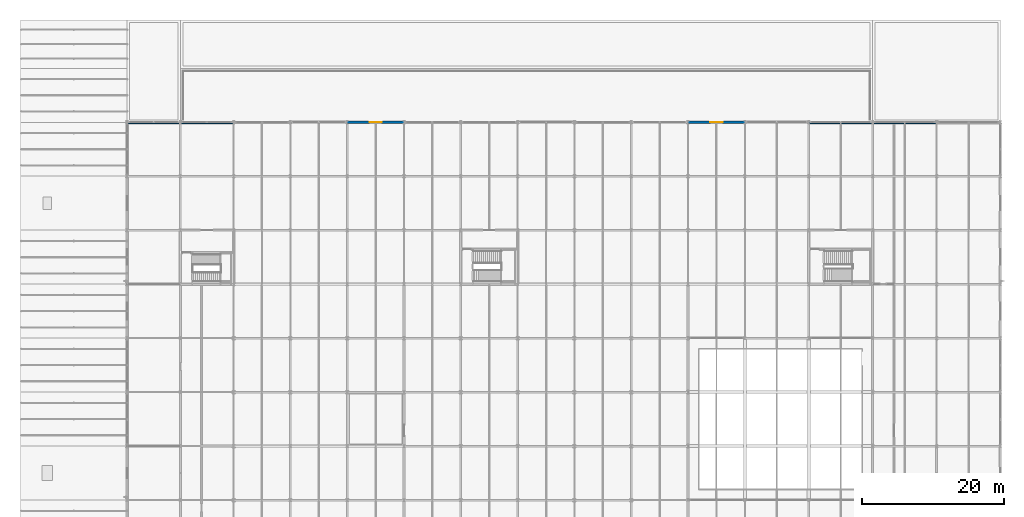
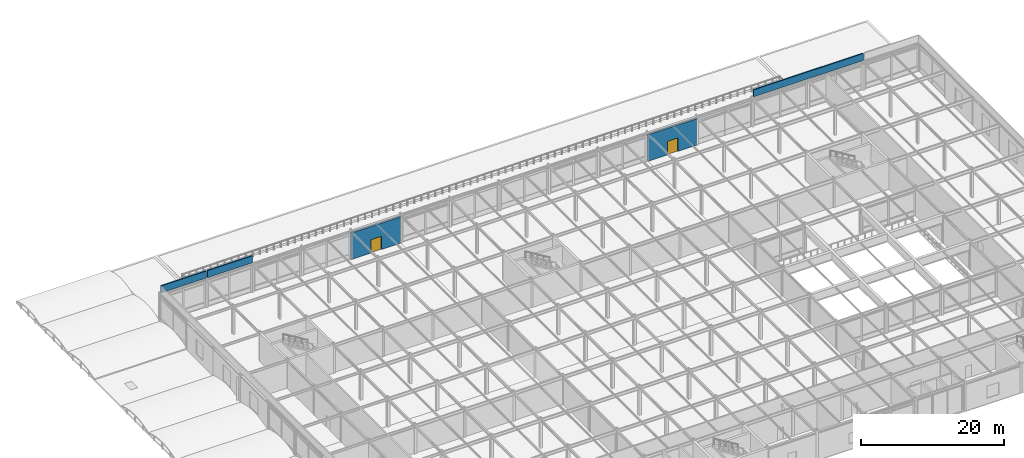
# One storey, part 64 of 79: 5 walls, 2 doors, 2 openings.
"""IFC4 building model written with IfcOpenShell, lengths in metres."""

from ifc_helpers import new_model, si_unit, direction, frame, frame_2d, origin, place, context, subcontext, project, spatial, rectangle, extrude, material, layer, layer_set, type_object, element, fill, save


model = new_model("IFC4")

# Units and contexts
model_context = context("Model", 3, precision=1e-05, world=origin(), true_north=direction((0.0, 1.0)))
body_context = subcontext(model_context, "Body", "Model", "MODEL_VIEW")
ifc_project = project(units=[si_unit("LENGTHUNIT", "METRE"), si_unit("AREAUNIT", "SQUARE_METRE"), si_unit("VOLUMEUNIT", "CUBIC_METRE"), si_unit("PLANEANGLEUNIT", "RADIAN"), si_unit("MASSUNIT", "GRAM", prefix="KILO")], contexts=[model_context])

# Site, building, storey
site_placement = place(None, origin())
site = spatial("IfcSite", under=ifc_project, at=site_placement, CompositionType="ELEMENT")
building_placement = place(site_placement, origin())
building = spatial("IfcBuilding", under=site, at=building_placement, Name="Shalkamar Park Central Library", CompositionType="ELEMENT")
storey_placement = place(building_placement, frame((0.0, 0.0, 10.5)))
storey = spatial("IfcBuildingStorey", under=building, at=storey_placement, Name="L03", CompositionType="ELEMENT", Elevation=10.5)

# Walls
ifc_material_1 = material(Name="Concrete C35/45 precast", Category="concrete")
ifc_layer_1 = layer(ifc_material_1, 0.179931640625)
ifc_layer_set_1 = layer_set([ifc_layer_1], Name="Concrete C35/45 precast")
wall_type_1 = type_object("IfcWallType", Name="Roof Parapet Wall 180", PredefinedType="PARAPET", material=ifc_layer_set_1)
for number, where, z_axis, x_axis, name in (
    (1, (150.10009765625, 323.5, 5.10009765625), (0.0, 0.0, 1.0), (1.0, 0.0, 0.0), "Roof Parapet Wall L03-19"),
    (2, (157.60009765625, 323.5, 5.10009765625), (0.0, 0.0, 1.0), (1.0, 0.0, 0.0), "Roof Parapet Wall L03-24"),
):
    element("IfcWall", number, at=place(storey_placement, frame(where, z_axis=z_axis, x_axis=x_axis)), inside=storey, type_object=wall_type_1, Name=name, PredefinedType="PARAPET", context=body_context, shape_type="SweptSolid", body=[
        extrude(rectangle(XDim=7.2998046875, YDim=0.179931640625, at=frame_2d((3.64990234375, 0.0))), origin(), (0.0, 0.0, 1.0), 1.199951171875),
    ])
wall_1_placement = place(storey_placement, frame((246.10009765625, 323.5, 5.10009765625), z_axis=(0.0, 0.0, 1.0), x_axis=(1.0, 0.0, 0.0)))
element("IfcWall", 3, at=wall_1_placement, inside=storey, type_object=wall_type_1, Name="Roof Parapet Wall L03-25", PredefinedType="PARAPET", context=body_context, shape_type="SweptSolid", body=[
    extrude(rectangle(XDim=17.7998046875, YDim=0.179931640625, at=frame_2d((8.89990234375, 0.0))), origin(), (0.0, 0.0, 1.0), 1.199951171875),
])

# Wall, opening, door
ifc_material_2 = material(Name="Travertine insulated rainscreen", Category="masonry")
ifc_layer_2 = layer(ifc_material_2, 0.2900390625)
ifc_layer_set_2 = layer_set([ifc_layer_2], Name="TravertineTerracottaWall_290")
wall_type_2 = type_object("IfcWallType", Name="Travertine Terracotta Wall 290", PredefinedType="SOLIDWALL", material=ifc_layer_set_2)
wall_2_placement = place(storey_placement, frame((181.006103515625, 323.60009765625, 0.0), z_axis=(0.0, 0.0, 1.0), x_axis=(1.0, 0.0, 0.0)))
wall_2 = element("IfcWall", 4, at=wall_2_placement, inside=storey, type_object=wall_type_2, Name="Exterior Facade Wall WL-EXT-L03-092", PredefinedType="SOLIDWALL", context=body_context, shape_type="SweptSolid", body=[
    extrude(rectangle(XDim=7.98779296875, YDim=0.2900390625, at=frame_2d((3.993896484375, 0.0))), origin(), (0.0, 0.0, 1.0), 4.528076171875),
])
opening_1_placement = place(wall_2_placement, frame((3.14404296875, 0.0, 0.0)))
opening_1 = element("IfcOpeningElement", 5, at=opening_1_placement, cuts=wall_2, Name="Opening ED-L03-035", PredefinedType="OPENING", context=body_context, shape_type="SweptSolid", body=[
    extrude(rectangle(XDim=1.699951171875, YDim=2.300048828125, at=frame_2d((0.85009765625, 1.14990234375))), frame((0.0, 0.159912109375, 0.0), z_axis=(0.0, -1.0, 0.0), x_axis=(1.0, 0.0, 0.0)), (0.0, 0.0, 1.0), 0.31982421875),
])
ifc_material_3 = material(Name="Thermally broken insulated aluminium and glazed door", Category="aluminium")
door_type = type_object("IfcDoorType", Name="Cascade Terrace Door 1700x2300", OperationType="DOUBLE_DOOR_SINGLE_SWING", PredefinedType="DOOR", material=ifc_material_3)
door_1_placement = place(opening_1_placement, origin())
door_1 = element("IfcDoor", 6, at=door_1_placement, inside=storey, type_object=door_type, Name="L03 Cascading Terrace Door 09", OperationType="DOUBLE_DOOR_SINGLE_SWING", OverallHeight=2.300048828125, OverallWidth=1.699951171875, PredefinedType="DOOR", context=body_context, shape_type="SweptSolid", body=[
    extrude(rectangle(XDim=1.699951171875, YDim=2.300048828125, at=frame_2d((0.85009765625, 1.14990234375))), frame((0.0, 0.02490234375, 0.0), z_axis=(0.0, -1.0, 0.0), x_axis=(1.0, 0.0, 0.0)), (0.0, 0.0, 1.0), 0.050048828125),
])
fill(opening_1, door_1)

wall_3_placement = place(storey_placement, frame((229.006103515625, 323.60009765625, 0.0), z_axis=(0.0, 0.0, 1.0), x_axis=(1.0, 0.0, 0.0)))
wall_3 = element("IfcWall", 7, at=wall_3_placement, inside=storey, type_object=wall_type_2, Name="Exterior Facade Wall WL-EXT-L03-093", PredefinedType="SOLIDWALL", context=body_context, shape_type="SweptSolid", body=[
    extrude(rectangle(XDim=7.98779296875, YDim=0.2900390625, at=frame_2d((3.993896484375, 0.0))), origin(), (0.0, 0.0, 1.0), 4.528076171875),
])
opening_2_placement = place(wall_3_placement, frame((3.14404296875, 0.0, 0.0)))
opening_2 = element("IfcOpeningElement", 8, at=opening_2_placement, cuts=wall_3, Name="Opening ED-L03-036", PredefinedType="OPENING", context=body_context, shape_type="SweptSolid", body=[
    extrude(rectangle(XDim=1.699951171875, YDim=2.300048828125, at=frame_2d((0.85009765625, 1.14990234375))), frame((0.0, 0.159912109375, 0.0), z_axis=(0.0, -1.0, 0.0), x_axis=(1.0, 0.0, 0.0)), (0.0, 0.0, 1.0), 0.31982421875),
])
door_2_placement = place(opening_2_placement, origin())
door_2 = element("IfcDoor", 9, at=door_2_placement, inside=storey, type_object=door_type, Name="L03 Cascading Terrace Door 15", OperationType="DOUBLE_DOOR_SINGLE_SWING", OverallHeight=2.300048828125, OverallWidth=1.699951171875, PredefinedType="DOOR", context=body_context, shape_type="SweptSolid", body=[
    extrude(rectangle(XDim=1.699951171875, YDim=2.300048828125, at=frame_2d((0.85009765625, 1.14990234375))), frame((0.0, 0.02490234375, 0.0), z_axis=(0.0, -1.0, 0.0), x_axis=(1.0, 0.0, 0.0)), (0.0, 0.0, 1.0), 0.050048828125),
])
fill(opening_2, door_2)

save(model, "model.ifc")
